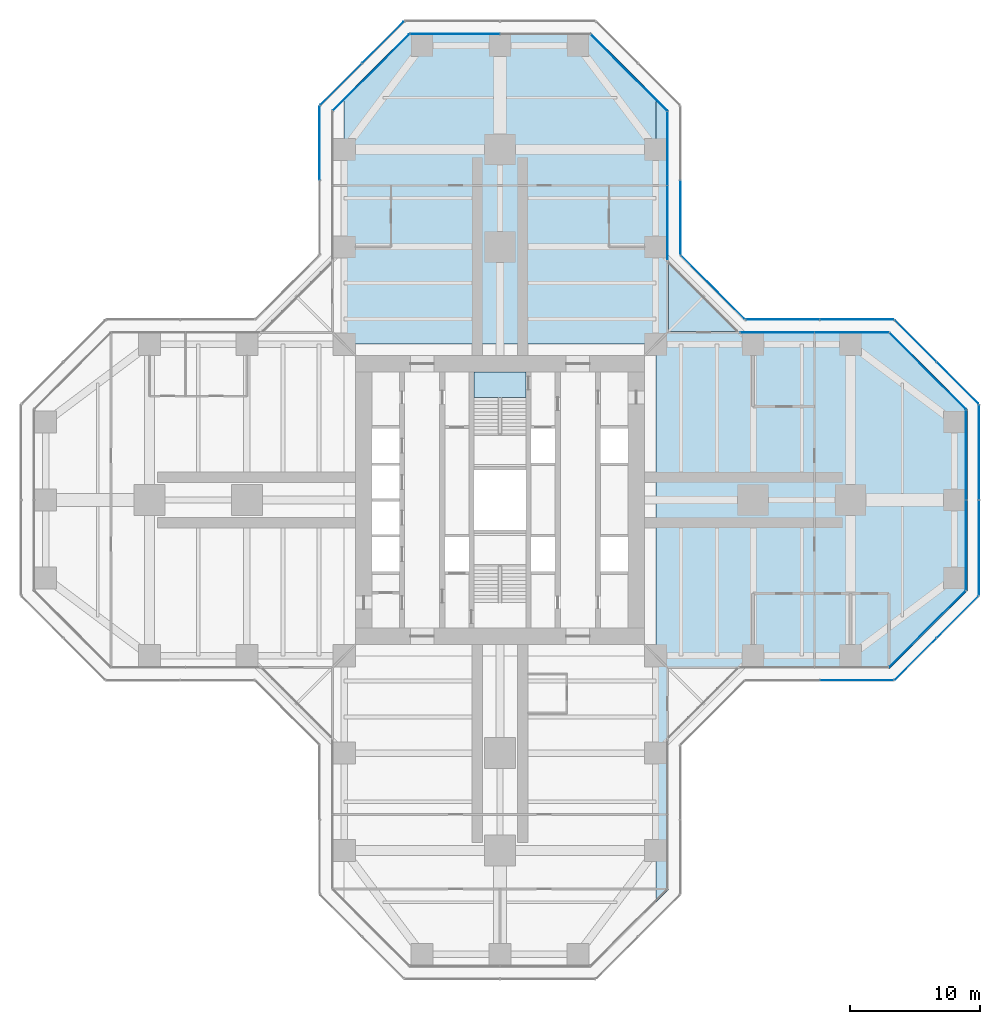
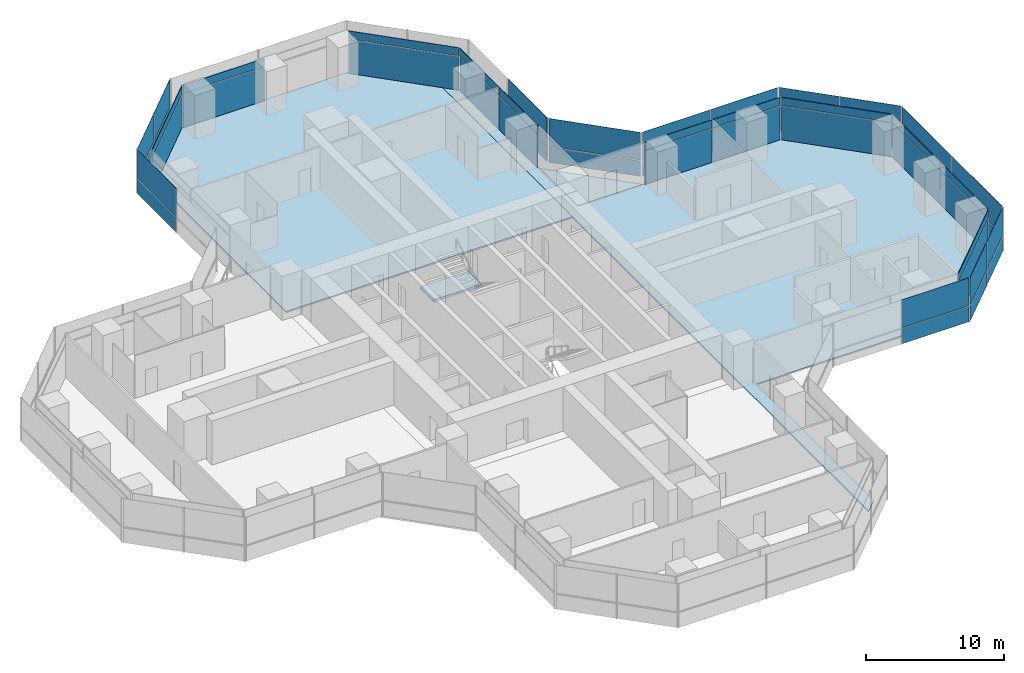
# One storey, part 16 of 22: 50 plates, 4 slabs, 18 elements without a shape of their own.
"""IFC4 building model written with IfcOpenShell, lengths in metres."""

from ifc_helpers import new_model, si_unit, direction, frame, origin, origin_2d, place, context, subcontext, project, spatial, polyline, rectangle, outline, extrude, material, layer, layer_set, type_object, element, aggregate, save


model = new_model("IFC4")

# Units and contexts
model_context = context("Model", 3, precision=1e-05, world=origin(), true_north=direction((0.0, 1.0)))
body_context = subcontext(model_context, "Body", "Model", "MODEL_VIEW")
ifc_project = project(units=[si_unit("LENGTHUNIT", "METRE"), si_unit("AREAUNIT", "SQUARE_METRE"), si_unit("VOLUMEUNIT", "CUBIC_METRE"), si_unit("PLANEANGLEUNIT", "RADIAN"), si_unit("MASSUNIT", "GRAM", prefix="KILO")], contexts=[model_context])

# Site, building, storey
site_placement = place(None, origin())
site = spatial("IfcSite", under=ifc_project, at=site_placement, CompositionType="ELEMENT")
building_placement = place(site_placement, origin())
building = spatial("IfcBuilding", under=site, at=building_placement, Name="Mizan Broadcast Tower", CompositionType="ELEMENT")
storey_placement = place(building_placement, frame((0.0, 0.0, 78.60009765625)))
storey = spatial("IfcBuildingStorey", under=building, at=storey_placement, Name="L16", CompositionType="ELEMENT", Elevation=78.60009765625)

# Slabs
ifc_material_1 = material(Name="Concrete C32/40", Category="concrete")
ifc_layer_1 = layer(ifc_material_1, 0.1298828125)
ifc_layer_set_1 = layer_set([ifc_layer_1], Name="Concrete C32/40")
slab_type_1 = type_object("IfcSlabType", Name="COMPOSITE DECK SLAB 130", PredefinedType="FLOOR", material=ifc_layer_set_1)
slab_1_placement = place(storey_placement, frame((0.0, 0.0, -0.130126953125)))
element("IfcSlab", 1, at=slab_1_placement, inside=storey, type_object=slab_type_1, Name="Floor slab L16 east arm", PredefinedType="FLOOR", context=body_context, shape_type="SweptSolid", body=[
    extrude(outline(polyline([(12.0, -31.0), (13.0, -30.0), (13.0, -13.0), (30.0, -13.0), (36.0, -7.0), (36.0, 7.0), (30.0, 13.0), (13.0, 13.0), (13.0, 30.0), (12.0, 31.0), (12.0, -31.0)])), origin(), (0.0, 0.0, 1.0), 0.130126953125),
])
slab_2_placement = place(storey_placement, frame((0.0, 0.0, -0.130126953125)))
element("IfcSlab", 2, at=slab_2_placement, inside=storey, type_object=slab_type_1, Name="Floor slab L16 north arm", PredefinedType="FLOOR", context=body_context, shape_type="SweptSolid", body=[
    extrude(outline(polyline([(-7.0, 36.0), (-12.0, 31.0), (-12.0, 12.0), (12.0, 12.0), (12.0, 31.0), (7.0, 36.0), (-7.0, 36.0)])), origin(), (0.0, 0.0, 1.0), 0.130126953125),
])

# Curtain wall, plate
ifc_material_2 = material(Name="Aluminium framed glazing", Category="aluminium")
curtain_wall_type_1 = type_object("IfcCurtainWallType", Name="INNER SKIN LOW ZONE", PredefinedType="USERDEFINED", material=ifc_material_2)
curtain_wall_1_placement = place(storey_placement, origin())
curtain_wall_1 = element("IfcCurtainWall", 3, at=curtain_wall_1_placement, inside=storey, type_object=curtain_wall_type_1, Name="Inner skin low zone L16 E chamfer", ObjectType="INNER SKIN LOW ZONE", PredefinedType="USERDEFINED")
ifc_material_3 = material(Name="Double glazing, clear low-e", Category="glass")
ifc_layer_2 = layer(ifc_material_3, 0.028076171875)
ifc_layer_set_2 = layer_set([ifc_layer_2], Name="Double glazing, clear low-e")
plate_type_1 = type_object("IfcPlateType", Name="INNER SKIN GLAZING UNIT", PredefinedType="CURTAIN_PANEL", material=ifc_layer_set_2)
plate_1_placement = place(storey_placement, frame((32.92919921875, -9.92919921875, 0.0), z_axis=(0.0, 0.0, 1.0), x_axis=(0.707106781187, 0.707106781187, 0.0)))
plate_1 = element("IfcPlate", 4, at=plate_1_placement, type_object=plate_type_1, Name="Inner skin low zone L16 E chamfer panel 1.1", PredefinedType="CURTAIN_PANEL", context=body_context, shape_type="SweptSolid", body=[
    extrude(rectangle(XDim=8.282470703125, YDim=0.028076171875, at=origin_2d()), origin(), (0.0, 0.0, 1.0), 3.0),
])

# Curtain wall, plates
curtain_wall_2_placement = place(storey_placement, origin())
curtain_wall_2 = element("IfcCurtainWall", 5, at=curtain_wall_2_placement, inside=storey, type_object=curtain_wall_type_1, Name="Inner skin low zone L16 E end", ObjectType="INNER SKIN LOW ZONE", PredefinedType="USERDEFINED")
plate_2_placement = place(storey_placement, frame((35.89990234375, -3.46435546875, 0.0), z_axis=(0.0, 0.0, 1.0), x_axis=(0.0, 1.0, 0.0)))
plate_2 = element("IfcPlate", 6, at=plate_2_placement, type_object=plate_type_1, Name="Inner skin low zone L16 E end panel 1.1", PredefinedType="CURTAIN_PANEL", context=body_context, shape_type="SweptSolid", body=[
    extrude(rectangle(XDim=6.86865234375, YDim=0.028076171875, at=origin_2d()), origin(), (0.0, 0.0, 1.0), 3.0),
])
plate_3_placement = place(storey_placement, frame((35.89990234375, 3.46435546875, 0.0), z_axis=(0.0, 0.0, 1.0), x_axis=(0.0, 1.0, 0.0)))
plate_3 = element("IfcPlate", 7, at=plate_3_placement, type_object=plate_type_1, Name="Inner skin low zone L16 E end panel 2.1", PredefinedType="CURTAIN_PANEL", context=body_context, shape_type="SweptSolid", body=[
    extrude(rectangle(XDim=6.86865234375, YDim=0.028076171875, at=origin_2d()), origin(), (0.0, 0.0, 1.0), 3.0),
])

# Curtain wall, plate
curtain_wall_3_placement = place(storey_placement, origin())
curtain_wall_3 = element("IfcCurtainWall", 8, at=curtain_wall_3_placement, inside=storey, type_object=curtain_wall_type_1, Name="Inner skin low zone L16 E chamfer", ObjectType="INNER SKIN LOW ZONE", PredefinedType="USERDEFINED")
plate_4_placement = place(storey_placement, frame((32.92919921875, 9.92919921875, 0.0), z_axis=(0.0, 0.0, 1.0), x_axis=(-0.707106781187, 0.707106781187, 0.0)))
plate_4 = element("IfcPlate", 9, at=plate_4_placement, type_object=plate_type_1, Name="Inner skin low zone L16 E chamfer panel 1.1", PredefinedType="CURTAIN_PANEL", context=body_context, shape_type="SweptSolid", body=[
    extrude(rectangle(XDim=8.282470703125, YDim=0.028076171875, at=origin_2d()), origin(), (0.0, 0.0, 1.0), 3.0),
])

# Curtain wall, plates
curtain_wall_4_placement = place(storey_placement, origin())
curtain_wall_4 = element("IfcCurtainWall", 10, at=curtain_wall_4_placement, inside=storey, type_object=curtain_wall_type_1, Name="Inner skin low zone L16 E side", ObjectType="INNER SKIN LOW ZONE", PredefinedType="USERDEFINED")
plate_5_placement = place(storey_placement, frame((27.078857421875, 12.89990234375, 0.0), z_axis=(0.0, 0.0, 1.0), x_axis=(-1.0, 0.0, 0.0)))
plate_5 = element("IfcPlate", 11, at=plate_5_placement, type_object=plate_type_1, Name="Inner skin low zone L16 E side panel 1.1", PredefinedType="CURTAIN_PANEL", context=body_context, shape_type="SweptSolid", body=[
    extrude(rectangle(XDim=5.639404296875, YDim=0.028076171875, at=origin_2d()), origin(), (0.0, 0.0, 1.0), 3.0),
])
plate_6_placement = place(storey_placement, frame((21.379638671875, 12.89990234375, 0.0), z_axis=(0.0, 0.0, 1.0), x_axis=(-1.0, 0.0, 0.0)))
plate_6 = element("IfcPlate", 12, at=plate_6_placement, type_object=plate_type_1, Name="Inner skin low zone L16 E side panel 2.1", PredefinedType="CURTAIN_PANEL", context=body_context, shape_type="SweptSolid", body=[
    extrude(rectangle(XDim=5.639404296875, YDim=0.028076171875, at=origin_2d()), origin(), (0.0, 0.0, 1.0), 3.0),
])

curtain_wall_5_placement = place(storey_placement, origin())
curtain_wall_5 = element("IfcCurtainWall", 13, at=curtain_wall_5_placement, inside=storey, type_object=curtain_wall_type_1, Name="Inner skin low zone L16 N side", ObjectType="INNER SKIN LOW ZONE", PredefinedType="USERDEFINED")
plate_7_placement = place(storey_placement, frame((12.89990234375, 21.379638671875, 0.0), z_axis=(0.0, 0.0, 1.0), x_axis=(0.0, 1.0, 0.0)))
plate_7 = element("IfcPlate", 14, at=plate_7_placement, type_object=plate_type_1, Name="Inner skin low zone L16 N side panel 1.1", PredefinedType="CURTAIN_PANEL", context=body_context, shape_type="SweptSolid", body=[
    extrude(rectangle(XDim=5.639404296875, YDim=0.028076171875, at=origin_2d()), origin(), (0.0, 0.0, 1.0), 3.0),
])
plate_8_placement = place(storey_placement, frame((12.89990234375, 27.078857421875, 0.0), z_axis=(0.0, 0.0, 1.0), x_axis=(0.0, 1.0, 0.0)))
plate_8 = element("IfcPlate", 15, at=plate_8_placement, type_object=plate_type_1, Name="Inner skin low zone L16 N side panel 2.1", PredefinedType="CURTAIN_PANEL", context=body_context, shape_type="SweptSolid", body=[
    extrude(rectangle(XDim=5.639404296875, YDim=0.028076171875, at=origin_2d()), origin(), (0.0, 0.0, 1.0), 3.0),
])

# Curtain wall, plate
curtain_wall_6_placement = place(storey_placement, origin())
curtain_wall_6 = element("IfcCurtainWall", 16, at=curtain_wall_6_placement, inside=storey, type_object=curtain_wall_type_1, Name="Inner skin low zone L16 N chamfer", ObjectType="INNER SKIN LOW ZONE", PredefinedType="USERDEFINED")
plate_9_placement = place(storey_placement, frame((9.92919921875, 32.92919921875, 0.0), z_axis=(0.0, 0.0, 1.0), x_axis=(-0.707106781187, 0.707106781187, 0.0)))
plate_9 = element("IfcPlate", 17, at=plate_9_placement, type_object=plate_type_1, Name="Inner skin low zone L16 N chamfer panel 1.1", PredefinedType="CURTAIN_PANEL", context=body_context, shape_type="SweptSolid", body=[
    extrude(rectangle(XDim=8.282470703125, YDim=0.028076171875, at=origin_2d()), origin(), (0.0, 0.0, 1.0), 3.0),
])

curtain_wall_7_placement = place(storey_placement, origin())
curtain_wall_7 = element("IfcCurtainWall", 18, at=curtain_wall_7_placement, inside=storey, type_object=curtain_wall_type_1, Name="Inner skin low zone L16 N end", ObjectType="INNER SKIN LOW ZONE", PredefinedType="USERDEFINED")
plate_10_placement = place(storey_placement, frame((-3.46435546875, 35.89990234375, 0.0), z_axis=(0.0, 0.0, 1.0), x_axis=(-1.0, 0.0, 0.0)))
plate_10 = element("IfcPlate", 19, at=plate_10_placement, type_object=plate_type_1, Name="Inner skin low zone L16 N end panel 2.1", PredefinedType="CURTAIN_PANEL", context=body_context, shape_type="SweptSolid", body=[
    extrude(rectangle(XDim=6.86865234375, YDim=0.028076171875, at=origin_2d()), origin(), (0.0, 0.0, 1.0), 3.0),
])

curtain_wall_8_placement = place(storey_placement, origin())
curtain_wall_8 = element("IfcCurtainWall", 20, at=curtain_wall_8_placement, inside=storey, type_object=curtain_wall_type_1, Name="Inner skin low zone L16 N chamfer", ObjectType="INNER SKIN LOW ZONE", PredefinedType="USERDEFINED")
plate_11_placement = place(storey_placement, frame((-9.92919921875, 32.92919921875, 0.0), z_axis=(0.0, 0.0, 1.0), x_axis=(-0.707106781187, -0.707106781187, 0.0)))
plate_11 = element("IfcPlate", 21, at=plate_11_placement, type_object=plate_type_1, Name="Inner skin low zone L16 N chamfer panel 1.1", PredefinedType="CURTAIN_PANEL", context=body_context, shape_type="SweptSolid", body=[
    extrude(rectangle(XDim=8.282470703125, YDim=0.028076171875, at=origin_2d()), origin(), (0.0, 0.0, 1.0), 3.0),
])

# Plate
ifc_material_4 = material(Name="Insulated aluminium spandrel panel, pale anodised", Category="aluminium")
ifc_layer_3 = layer(ifc_material_4, 0.050048828125)
ifc_layer_set_3 = layer_set([ifc_layer_3], Name="Insulated aluminium spandrel panel, pale anodised")
plate_type_2 = type_object("IfcPlateType", Name="INNER SKIN SPANDREL PANEL", PredefinedType="CURTAIN_PANEL", material=ifc_layer_set_3)
plate_12_placement = place(storey_placement, frame((32.92919921875, -9.92919921875, 3.059814453125), z_axis=(0.0, 0.0, 1.0), x_axis=(0.707106781187, 0.707106781187, 0.0)))
plate_12 = element("IfcPlate", 22, at=plate_12_placement, type_object=plate_type_2, Name="Inner skin low zone L16 E chamfer panel 1.2", PredefinedType="CURTAIN_PANEL", context=body_context, shape_type="SweptSolid", body=[
    extrude(rectangle(XDim=8.282470703125, YDim=0.050048828125, at=origin_2d()), origin(), (0.0, 0.0, 1.0), 0.7099609375),
])

aggregate(curtain_wall_1, [plate_1, plate_12])

plate_13_placement = place(storey_placement, frame((35.89990234375, -3.46435546875, 3.059814453125), z_axis=(0.0, 0.0, 1.0), x_axis=(0.0, 1.0, 0.0)))
plate_13 = element("IfcPlate", 23, at=plate_13_placement, type_object=plate_type_2, Name="Inner skin low zone L16 E end panel 1.2", PredefinedType="CURTAIN_PANEL", context=body_context, shape_type="SweptSolid", body=[
    extrude(rectangle(XDim=6.86865234375, YDim=0.050048828125, at=origin_2d()), origin(), (0.0, 0.0, 1.0), 0.7099609375),
])

plate_14_placement = place(storey_placement, frame((35.89990234375, 3.46435546875, 3.059814453125), z_axis=(0.0, 0.0, 1.0), x_axis=(0.0, 1.0, 0.0)))
plate_14 = element("IfcPlate", 24, at=plate_14_placement, type_object=plate_type_2, Name="Inner skin low zone L16 E end panel 2.2", PredefinedType="CURTAIN_PANEL", context=body_context, shape_type="SweptSolid", body=[
    extrude(rectangle(XDim=6.86865234375, YDim=0.050048828125, at=origin_2d()), origin(), (0.0, 0.0, 1.0), 0.7099609375),
])

aggregate(curtain_wall_2, [plate_2, plate_13, plate_3, plate_14])

plate_15_placement = place(storey_placement, frame((32.92919921875, 9.92919921875, 3.059814453125), z_axis=(0.0, 0.0, 1.0), x_axis=(-0.707106781187, 0.707106781187, 0.0)))
plate_15 = element("IfcPlate", 25, at=plate_15_placement, type_object=plate_type_2, Name="Inner skin low zone L16 E chamfer panel 1.2", PredefinedType="CURTAIN_PANEL", context=body_context, shape_type="SweptSolid", body=[
    extrude(rectangle(XDim=8.282470703125, YDim=0.050048828125, at=origin_2d()), origin(), (0.0, 0.0, 1.0), 0.7099609375),
])

aggregate(curtain_wall_3, [plate_4, plate_15])

plate_16_placement = place(storey_placement, frame((27.078857421875, 12.89990234375, 3.059814453125), z_axis=(0.0, 0.0, 1.0), x_axis=(-1.0, 0.0, 0.0)))
plate_16 = element("IfcPlate", 26, at=plate_16_placement, type_object=plate_type_2, Name="Inner skin low zone L16 E side panel 1.2", PredefinedType="CURTAIN_PANEL", context=body_context, shape_type="SweptSolid", body=[
    extrude(rectangle(XDim=5.639404296875, YDim=0.050048828125, at=origin_2d()), origin(), (0.0, 0.0, 1.0), 0.7099609375),
])

plate_17_placement = place(storey_placement, frame((21.379638671875, 12.89990234375, 3.059814453125), z_axis=(0.0, 0.0, 1.0), x_axis=(-1.0, 0.0, 0.0)))
plate_17 = element("IfcPlate", 27, at=plate_17_placement, type_object=plate_type_2, Name="Inner skin low zone L16 E side panel 2.2", PredefinedType="CURTAIN_PANEL", context=body_context, shape_type="SweptSolid", body=[
    extrude(rectangle(XDim=5.639404296875, YDim=0.050048828125, at=origin_2d()), origin(), (0.0, 0.0, 1.0), 0.7099609375),
])

aggregate(curtain_wall_4, [plate_5, plate_16, plate_6, plate_17])

plate_18_placement = place(storey_placement, frame((12.89990234375, 21.379638671875, 3.059814453125), z_axis=(0.0, 0.0, 1.0), x_axis=(0.0, 1.0, 0.0)))
plate_18 = element("IfcPlate", 28, at=plate_18_placement, type_object=plate_type_2, Name="Inner skin low zone L16 N side panel 1.2", PredefinedType="CURTAIN_PANEL", context=body_context, shape_type="SweptSolid", body=[
    extrude(rectangle(XDim=5.639404296875, YDim=0.050048828125, at=origin_2d()), origin(), (0.0, 0.0, 1.0), 0.7099609375),
])

plate_19_placement = place(storey_placement, frame((12.89990234375, 27.078857421875, 3.059814453125), z_axis=(0.0, 0.0, 1.0), x_axis=(0.0, 1.0, 0.0)))
plate_19 = element("IfcPlate", 29, at=plate_19_placement, type_object=plate_type_2, Name="Inner skin low zone L16 N side panel 2.2", PredefinedType="CURTAIN_PANEL", context=body_context, shape_type="SweptSolid", body=[
    extrude(rectangle(XDim=5.639404296875, YDim=0.050048828125, at=origin_2d()), origin(), (0.0, 0.0, 1.0), 0.7099609375),
])

aggregate(curtain_wall_5, [plate_7, plate_18, plate_8, plate_19])

plate_20_placement = place(storey_placement, frame((9.92919921875, 32.92919921875, 3.059814453125), z_axis=(0.0, 0.0, 1.0), x_axis=(-0.707106781187, 0.707106781187, 0.0)))
plate_20 = element("IfcPlate", 30, at=plate_20_placement, type_object=plate_type_2, Name="Inner skin low zone L16 N chamfer panel 1.2", PredefinedType="CURTAIN_PANEL", context=body_context, shape_type="SweptSolid", body=[
    extrude(rectangle(XDim=8.282470703125, YDim=0.050048828125, at=origin_2d()), origin(), (0.0, 0.0, 1.0), 0.7099609375),
])

aggregate(curtain_wall_6, [plate_9, plate_20])

plate_21_placement = place(storey_placement, frame((-3.46435546875, 35.89990234375, 3.059814453125), z_axis=(0.0, 0.0, 1.0), x_axis=(-1.0, 0.0, 0.0)))
plate_21 = element("IfcPlate", 31, at=plate_21_placement, type_object=plate_type_2, Name="Inner skin low zone L16 N end panel 2.2", PredefinedType="CURTAIN_PANEL", context=body_context, shape_type="SweptSolid", body=[
    extrude(rectangle(XDim=6.86865234375, YDim=0.050048828125, at=origin_2d()), origin(), (0.0, 0.0, 1.0), 0.7099609375),
])

aggregate(curtain_wall_7, [plate_10, plate_21])

plate_22_placement = place(storey_placement, frame((-9.92919921875, 32.92919921875, 3.059814453125), z_axis=(0.0, 0.0, 1.0), x_axis=(-0.707106781187, -0.707106781187, 0.0)))
plate_22 = element("IfcPlate", 32, at=plate_22_placement, type_object=plate_type_2, Name="Inner skin low zone L16 N chamfer panel 1.2", PredefinedType="CURTAIN_PANEL", context=body_context, shape_type="SweptSolid", body=[
    extrude(rectangle(XDim=8.282470703125, YDim=0.050048828125, at=origin_2d()), origin(), (0.0, 0.0, 1.0), 0.7099609375),
])

aggregate(curtain_wall_8, [plate_11, plate_22])

# Curtain wall, plates
ifc_material_5 = material(Name="Aluminium framed glazing", Category="aluminium")
curtain_wall_type_2 = type_object("IfcCurtainWallType", Name="OUTER SKIN", PredefinedType="USERDEFINED", material=ifc_material_5)
curtain_wall_9_placement = place(storey_placement, origin())
curtain_wall_9 = element("IfcCurtainWall", 33, at=curtain_wall_9_placement, inside=storey, type_object=curtain_wall_type_2, Name="Outer skin L16 E chamfer", ObjectType="OUTER SKIN", PredefinedType="USERDEFINED")
ifc_material_6 = material(Name="Laminated clear glass", Category="glass")
ifc_layer_4 = layer(ifc_material_6, 0.02001953125)
ifc_layer_set_4 = layer_set([ifc_layer_4], Name="Laminated clear glass")
plate_type_3 = type_object("IfcPlateType", Name="OUTER SKIN CLEAR GLASS", PredefinedType="CURTAIN_PANEL", material=ifc_layer_set_4)
plate_23_placement = place(storey_placement, frame((32.018798828125, -12.254150390625, -0.000244140625), z_axis=(0.0, 0.0, 1.0), x_axis=(0.707106781187, 0.707106781187, 0.0)))
plate_23 = element("IfcPlate", 34, at=plate_23_placement, type_object=plate_type_3, Name="Outer skin L16 E chamfer panel 1.1", PredefinedType="CURTAIN_PANEL", context=body_context, shape_type="SweptSolid", body=[
    extrude(rectangle(XDim=4.495361328125, YDim=0.02001953125, at=origin_2d()), origin(), (0.0, 0.0, 1.0), 1.3701171875),
])
plate_24_placement = place(storey_placement, frame((32.018798828125, -12.254150390625, 1.4296875), z_axis=(0.0, 0.0, 1.0), x_axis=(0.707106781187, 0.707106781187, 0.0)))
plate_24 = element("IfcPlate", 35, at=plate_24_placement, type_object=plate_type_3, Name="Outer skin L16 E chamfer panel 1.2", PredefinedType="CURTAIN_PANEL", context=body_context, shape_type="SweptSolid", body=[
    extrude(rectangle(XDim=4.495361328125, YDim=0.02001953125, at=origin_2d()), origin(), (0.0, 0.0, 1.0), 2.469970703125),
])

curtain_wall_10_placement = place(storey_placement, origin())
curtain_wall_10 = element("IfcCurtainWall", 36, at=curtain_wall_10_placement, inside=storey, type_object=curtain_wall_type_2, Name="Outer skin L16 E end", ObjectType="OUTER SKIN", PredefinedType="USERDEFINED")
plate_25_placement = place(storey_placement, frame((36.89990234375, -3.66650390625, -0.000244140625), z_axis=(0.0, 0.0, 1.0), x_axis=(0.0, 1.0, 0.0)))
plate_25 = element("IfcPlate", 37, at=plate_25_placement, type_object=plate_type_3, Name="Outer skin L16 E end panel 1.1", PredefinedType="CURTAIN_PANEL", context=body_context, shape_type="SweptSolid", body=[
    extrude(rectangle(XDim=7.252685546875, YDim=0.02001953125, at=origin_2d()), origin(), (0.0, 0.0, 1.0), 1.3701171875),
])
plate_26_placement = place(storey_placement, frame((36.89990234375, -3.66650390625, 1.4296875), z_axis=(0.0, 0.0, 1.0), x_axis=(0.0, 1.0, 0.0)))
plate_26 = element("IfcPlate", 38, at=plate_26_placement, type_object=plate_type_3, Name="Outer skin L16 E end panel 1.2", PredefinedType="CURTAIN_PANEL", context=body_context, shape_type="SweptSolid", body=[
    extrude(rectangle(XDim=7.252685546875, YDim=0.02001953125, at=origin_2d()), origin(), (0.0, 0.0, 1.0), 2.469970703125),
])

curtain_wall_11_placement = place(storey_placement, origin())
curtain_wall_11 = element("IfcCurtainWall", 39, at=curtain_wall_11_placement, inside=storey, type_object=curtain_wall_type_2, Name="Outer skin L16 E chamfer", ObjectType="OUTER SKIN", PredefinedType="USERDEFINED")
plate_27_placement = place(storey_placement, frame((35.254150390625, 9.018798828125, -0.000244140625), z_axis=(0.0, 0.0, 1.0), x_axis=(-0.707106781187, 0.707106781187, 0.0)))
plate_27 = element("IfcPlate", 40, at=plate_27_placement, type_object=plate_type_3, Name="Outer skin L16 E chamfer panel 1.1", PredefinedType="CURTAIN_PANEL", context=body_context, shape_type="SweptSolid", body=[
    extrude(rectangle(XDim=4.495361328125, YDim=0.02001953125, at=origin_2d()), origin(), (0.0, 0.0, 1.0), 1.3701171875),
])
plate_28_placement = place(storey_placement, frame((35.254150390625, 9.018798828125, 1.4296875), z_axis=(0.0, 0.0, 1.0), x_axis=(-0.707106781187, 0.707106781187, 0.0)))
plate_28 = element("IfcPlate", 41, at=plate_28_placement, type_object=plate_type_3, Name="Outer skin L16 E chamfer panel 1.2", PredefinedType="CURTAIN_PANEL", context=body_context, shape_type="SweptSolid", body=[
    extrude(rectangle(XDim=4.495361328125, YDim=0.02001953125, at=origin_2d()), origin(), (0.0, 0.0, 1.0), 2.469970703125),
])

curtain_wall_12_placement = place(storey_placement, origin())
curtain_wall_12 = element("IfcCurtainWall", 42, at=curtain_wall_12_placement, inside=storey, type_object=curtain_wall_type_2, Name="Outer skin L16 E side", ObjectType="OUTER SKIN", PredefinedType="USERDEFINED")
plate_29_placement = place(storey_placement, frame((27.477783203125, 13.89990234375, -0.000244140625), z_axis=(0.0, 0.0, 1.0), x_axis=(-1.0, 0.0, 0.0)))
plate_29 = element("IfcPlate", 43, at=plate_29_placement, type_object=plate_type_3, Name="Outer skin L16 E side panel 1.1", PredefinedType="CURTAIN_PANEL", context=body_context, shape_type="SweptSolid", body=[
    extrude(rectangle(XDim=5.6298828125, YDim=0.02001953125, at=origin_2d()), origin(), (0.0, 0.0, 1.0), 1.3701171875),
])
plate_30_placement = place(storey_placement, frame((27.477783203125, 13.89990234375, 1.4296875), z_axis=(0.0, 0.0, 1.0), x_axis=(-1.0, 0.0, 0.0)))
plate_30 = element("IfcPlate", 44, at=plate_30_placement, type_object=plate_type_3, Name="Outer skin L16 E side panel 1.2", PredefinedType="CURTAIN_PANEL", context=body_context, shape_type="SweptSolid", body=[
    extrude(rectangle(XDim=5.6298828125, YDim=0.02001953125, at=origin_2d()), origin(), (0.0, 0.0, 1.0), 2.469970703125),
])
plate_31_placement = place(storey_placement, frame((21.767822265625, 13.89990234375, -0.000244140625), z_axis=(0.0, 0.0, 1.0), x_axis=(-1.0, 0.0, 0.0)))
plate_31 = element("IfcPlate", 45, at=plate_31_placement, type_object=plate_type_3, Name="Outer skin L16 E side panel 2.1", PredefinedType="CURTAIN_PANEL", context=body_context, shape_type="SweptSolid", body=[
    extrude(rectangle(XDim=5.6298828125, YDim=0.02001953125, at=origin_2d()), origin(), (0.0, 0.0, 1.0), 1.3701171875),
])
plate_32_placement = place(storey_placement, frame((21.767822265625, 13.89990234375, 1.4296875), z_axis=(0.0, 0.0, 1.0), x_axis=(-1.0, 0.0, 0.0)))
plate_32 = element("IfcPlate", 46, at=plate_32_placement, type_object=plate_type_3, Name="Outer skin L16 E side panel 2.2", PredefinedType="CURTAIN_PANEL", context=body_context, shape_type="SweptSolid", body=[
    extrude(rectangle(XDim=5.6298828125, YDim=0.02001953125, at=origin_2d()), origin(), (0.0, 0.0, 1.0), 2.469970703125),
])
aggregate(curtain_wall_12, [plate_29, plate_30, plate_31, plate_32])

curtain_wall_13_placement = place(storey_placement, origin())
curtain_wall_13 = element("IfcCurtainWall", 47, at=curtain_wall_13_placement, inside=storey, type_object=curtain_wall_type_2, Name="Outer skin L16 E chamfer", ObjectType="OUTER SKIN", PredefinedType="USERDEFINED")
plate_33_placement = place(storey_placement, frame((16.386474609375, 16.386474609375, -0.000244140625), z_axis=(0.0, 0.0, 1.0), x_axis=(-0.707106781187, 0.707106781187, 0.0)))
plate_33 = element("IfcPlate", 48, at=plate_33_placement, type_object=plate_type_3, Name="Outer skin L16 E chamfer panel 1.1", PredefinedType="CURTAIN_PANEL", context=body_context, shape_type="SweptSolid", body=[
    extrude(rectangle(XDim=6.87255859375, YDim=0.02001953125, at=origin_2d()), origin(), (0.0, 0.0, 1.0), 1.3701171875),
])
plate_34_placement = place(storey_placement, frame((16.386474609375, 16.386474609375, 1.4296875), z_axis=(0.0, 0.0, 1.0), x_axis=(-0.707106781187, 0.707106781187, 0.0)))
plate_34 = element("IfcPlate", 49, at=plate_34_placement, type_object=plate_type_3, Name="Outer skin L16 E chamfer panel 1.2", PredefinedType="CURTAIN_PANEL", context=body_context, shape_type="SweptSolid", body=[
    extrude(rectangle(XDim=6.87255859375, YDim=0.02001953125, at=origin_2d()), origin(), (0.0, 0.0, 1.0), 2.469970703125),
])
aggregate(curtain_wall_13, [plate_33, plate_34])

curtain_wall_14_placement = place(storey_placement, origin())
curtain_wall_14 = element("IfcCurtainWall", 50, at=curtain_wall_14_placement, inside=storey, type_object=curtain_wall_type_2, Name="Outer skin L16 N side", ObjectType="OUTER SKIN", PredefinedType="USERDEFINED")
plate_35_placement = place(storey_placement, frame((13.89990234375, 21.767822265625, -0.000244140625), z_axis=(0.0, 0.0, 1.0), x_axis=(0.0, 1.0, 0.0)))
plate_35 = element("IfcPlate", 51, at=plate_35_placement, type_object=plate_type_3, Name="Outer skin L16 N side panel 1.1", PredefinedType="CURTAIN_PANEL", context=body_context, shape_type="SweptSolid", body=[
    extrude(rectangle(XDim=5.6298828125, YDim=0.02001953125, at=origin_2d()), origin(), (0.0, 0.0, 1.0), 1.3701171875),
])
plate_36_placement = place(storey_placement, frame((13.89990234375, 21.767822265625, 1.4296875), z_axis=(0.0, 0.0, 1.0), x_axis=(0.0, 1.0, 0.0)))
plate_36 = element("IfcPlate", 52, at=plate_36_placement, type_object=plate_type_3, Name="Outer skin L16 N side panel 1.2", PredefinedType="CURTAIN_PANEL", context=body_context, shape_type="SweptSolid", body=[
    extrude(rectangle(XDim=5.6298828125, YDim=0.02001953125, at=origin_2d()), origin(), (0.0, 0.0, 1.0), 2.469970703125),
])
aggregate(curtain_wall_14, [plate_35, plate_36])

curtain_wall_15_placement = place(storey_placement, origin())
curtain_wall_15 = element("IfcCurtainWall", 53, at=curtain_wall_15_placement, inside=storey, type_object=curtain_wall_type_2, Name="Outer skin L16 N chamfer", ObjectType="OUTER SKIN", PredefinedType="USERDEFINED")
plate_37_placement = place(storey_placement, frame((-9.018798828125, 35.254150390625, -0.000244140625), z_axis=(0.0, 0.0, 1.0), x_axis=(-0.707106781187, -0.707106781187, 0.0)))
plate_37 = element("IfcPlate", 54, at=plate_37_placement, type_object=plate_type_3, Name="Outer skin L16 N chamfer panel 1.1", PredefinedType="CURTAIN_PANEL", context=body_context, shape_type="SweptSolid", body=[
    extrude(rectangle(XDim=4.495361328125, YDim=0.02001953125, at=origin_2d()), origin(), (0.0, 0.0, 1.0), 1.3701171875),
])
plate_38_placement = place(storey_placement, frame((-9.018798828125, 35.254150390625, 1.4296875), z_axis=(0.0, 0.0, 1.0), x_axis=(-0.707106781187, -0.707106781187, 0.0)))
plate_38 = element("IfcPlate", 55, at=plate_38_placement, type_object=plate_type_3, Name="Outer skin L16 N chamfer panel 1.2", PredefinedType="CURTAIN_PANEL", context=body_context, shape_type="SweptSolid", body=[
    extrude(rectangle(XDim=4.495361328125, YDim=0.02001953125, at=origin_2d()), origin(), (0.0, 0.0, 1.0), 2.469970703125),
])

curtain_wall_16_placement = place(storey_placement, origin())
curtain_wall_16 = element("IfcCurtainWall", 56, at=curtain_wall_16_placement, inside=storey, type_object=curtain_wall_type_2, Name="Outer skin L16 N side", ObjectType="OUTER SKIN", PredefinedType="USERDEFINED")
plate_39_placement = place(storey_placement, frame((-13.89990234375, 27.477783203125, -0.000244140625), z_axis=(0.0, 0.0, 1.0), x_axis=(0.0, -1.0, 0.0)))
plate_39 = element("IfcPlate", 57, at=plate_39_placement, type_object=plate_type_3, Name="Outer skin L16 N side panel 1.1", PredefinedType="CURTAIN_PANEL", context=body_context, shape_type="SweptSolid", body=[
    extrude(rectangle(XDim=5.6298828125, YDim=0.02001953125, at=origin_2d()), origin(), (0.0, 0.0, 1.0), 1.3701171875),
])
plate_40_placement = place(storey_placement, frame((-13.89990234375, 27.477783203125, 1.4296875), z_axis=(0.0, 0.0, 1.0), x_axis=(0.0, -1.0, 0.0)))
plate_40 = element("IfcPlate", 58, at=plate_40_placement, type_object=plate_type_3, Name="Outer skin L16 N side panel 1.2", PredefinedType="CURTAIN_PANEL", context=body_context, shape_type="SweptSolid", body=[
    extrude(rectangle(XDim=5.6298828125, YDim=0.02001953125, at=origin_2d()), origin(), (0.0, 0.0, 1.0), 2.469970703125),
])
aggregate(curtain_wall_16, [plate_39, plate_40])

# Plate
ifc_material_7 = material(Name="Perforated aluminium, pale anodised", Category="aluminium")
ifc_layer_5 = layer(ifc_material_7, 0.011962890625)
ifc_layer_set_5 = layer_set([ifc_layer_5], Name="Perforated aluminium, pale anodised")
plate_type_4 = type_object("IfcPlateType", Name="OUTER SKIN PERFORATED SCREEN", PredefinedType="USERDEFINED", material=ifc_layer_set_5)
plate_41_placement = place(storey_placement, frame((35.254150390625, -9.018798828125, -0.000244140625), z_axis=(0.0, 0.0, 1.0), x_axis=(0.707106781187, 0.707106781187, 0.0)))
plate_41 = element("IfcPlate", 59, at=plate_41_placement, type_object=plate_type_4, Name="Outer skin L16 E chamfer panel 2.1", ObjectType="SCREEN", PredefinedType="USERDEFINED", context=body_context, shape_type="SweptSolid", body=[
    extrude(rectangle(XDim=4.495361328125, YDim=0.011962890625, at=origin_2d()), origin(), (0.0, 0.0, 1.0), 1.3701171875),
])

plate_42_placement = place(storey_placement, frame((35.254150390625, -9.018798828125, 1.4296875), z_axis=(0.0, 0.0, 1.0), x_axis=(0.707106781187, 0.707106781187, 0.0)))
plate_42 = element("IfcPlate", 60, at=plate_42_placement, type_object=plate_type_4, Name="Outer skin L16 E chamfer panel 2.2", ObjectType="SCREEN", PredefinedType="USERDEFINED", context=body_context, shape_type="SweptSolid", body=[
    extrude(rectangle(XDim=4.495361328125, YDim=0.011962890625, at=origin_2d()), origin(), (0.0, 0.0, 1.0), 2.469970703125),
])

aggregate(curtain_wall_9, [plate_23, plate_24, plate_41, plate_42])

plate_43_placement = place(storey_placement, frame((36.89990234375, 3.66650390625, -0.000244140625), z_axis=(0.0, 0.0, 1.0), x_axis=(0.0, 1.0, 0.0)))
plate_43 = element("IfcPlate", 61, at=plate_43_placement, type_object=plate_type_4, Name="Outer skin L16 E end panel 2.1", ObjectType="SCREEN", PredefinedType="USERDEFINED", context=body_context, shape_type="SweptSolid", body=[
    extrude(rectangle(XDim=7.252685546875, YDim=0.011962890625, at=origin_2d()), origin(), (0.0, 0.0, 1.0), 1.3701171875),
])

plate_44_placement = place(storey_placement, frame((36.89990234375, 3.66650390625, 1.4296875), z_axis=(0.0, 0.0, 1.0), x_axis=(0.0, 1.0, 0.0)))
plate_44 = element("IfcPlate", 62, at=plate_44_placement, type_object=plate_type_4, Name="Outer skin L16 E end panel 2.2", ObjectType="SCREEN", PredefinedType="USERDEFINED", context=body_context, shape_type="SweptSolid", body=[
    extrude(rectangle(XDim=7.252685546875, YDim=0.011962890625, at=origin_2d()), origin(), (0.0, 0.0, 1.0), 2.469970703125),
])

aggregate(curtain_wall_10, [plate_25, plate_26, plate_43, plate_44])

plate_45_placement = place(storey_placement, frame((32.018798828125, 12.254150390625, -0.000244140625), z_axis=(0.0, 0.0, 1.0), x_axis=(-0.707106781187, 0.707106781187, 0.0)))
plate_45 = element("IfcPlate", 63, at=plate_45_placement, type_object=plate_type_4, Name="Outer skin L16 E chamfer panel 2.1", ObjectType="SCREEN", PredefinedType="USERDEFINED", context=body_context, shape_type="SweptSolid", body=[
    extrude(rectangle(XDim=4.495361328125, YDim=0.011962890625, at=origin_2d()), origin(), (0.0, 0.0, 1.0), 1.3701171875),
])

plate_46_placement = place(storey_placement, frame((32.018798828125, 12.254150390625, 1.4296875), z_axis=(0.0, 0.0, 1.0), x_axis=(-0.707106781187, 0.707106781187, 0.0)))
plate_46 = element("IfcPlate", 64, at=plate_46_placement, type_object=plate_type_4, Name="Outer skin L16 E chamfer panel 2.2", ObjectType="SCREEN", PredefinedType="USERDEFINED", context=body_context, shape_type="SweptSolid", body=[
    extrude(rectangle(XDim=4.495361328125, YDim=0.011962890625, at=origin_2d()), origin(), (0.0, 0.0, 1.0), 2.469970703125),
])

aggregate(curtain_wall_11, [plate_27, plate_28, plate_45, plate_46])

plate_47_placement = place(storey_placement, frame((-12.254150390625, 32.018798828125, -0.000244140625), z_axis=(0.0, 0.0, 1.0), x_axis=(-0.707106781187, -0.707106781187, 0.0)))
plate_47 = element("IfcPlate", 65, at=plate_47_placement, type_object=plate_type_4, Name="Outer skin L16 N chamfer panel 2.1", ObjectType="SCREEN", PredefinedType="USERDEFINED", context=body_context, shape_type="SweptSolid", body=[
    extrude(rectangle(XDim=4.495361328125, YDim=0.011962890625, at=origin_2d()), origin(), (0.0, 0.0, 1.0), 1.3701171875),
])

plate_48_placement = place(storey_placement, frame((-12.254150390625, 32.018798828125, 1.4296875), z_axis=(0.0, 0.0, 1.0), x_axis=(-0.707106781187, -0.707106781187, 0.0)))
plate_48 = element("IfcPlate", 66, at=plate_48_placement, type_object=plate_type_4, Name="Outer skin L16 N chamfer panel 2.2", ObjectType="SCREEN", PredefinedType="USERDEFINED", context=body_context, shape_type="SweptSolid", body=[
    extrude(rectangle(XDim=4.495361328125, YDim=0.011962890625, at=origin_2d()), origin(), (0.0, 0.0, 1.0), 2.469970703125),
])

aggregate(curtain_wall_15, [plate_37, plate_38, plate_47, plate_48])

# Curtain wall, plates
curtain_wall_17_placement = place(storey_placement, origin())
curtain_wall_17 = element("IfcCurtainWall", 67, at=curtain_wall_17_placement, inside=storey, type_object=curtain_wall_type_2, Name="Outer skin L16 E side", ObjectType="OUTER SKIN", PredefinedType="USERDEFINED")
plate_49_placement = place(storey_placement, frame((27.477783203125, -13.89990234375, -0.000244140625), z_axis=(0.0, 0.0, 1.0), x_axis=(1.0, 0.0, 0.0)))
plate_49 = element("IfcPlate", 68, at=plate_49_placement, type_object=plate_type_4, Name="Outer skin L16 E side panel 2.1", ObjectType="SCREEN", PredefinedType="USERDEFINED", context=body_context, shape_type="SweptSolid", body=[
    extrude(rectangle(XDim=5.6298828125, YDim=0.011962890625, at=origin_2d()), origin(), (0.0, 0.0, 1.0), 1.3701171875),
])
plate_50_placement = place(storey_placement, frame((27.477783203125, -13.89990234375, 1.4296875), z_axis=(0.0, 0.0, 1.0), x_axis=(1.0, 0.0, 0.0)))
plate_50 = element("IfcPlate", 69, at=plate_50_placement, type_object=plate_type_4, Name="Outer skin L16 E side panel 2.2", ObjectType="SCREEN", PredefinedType="USERDEFINED", context=body_context, shape_type="SweptSolid", body=[
    extrude(rectangle(XDim=5.6298828125, YDim=0.011962890625, at=origin_2d()), origin(), (0.0, 0.0, 1.0), 2.469970703125),
])
aggregate(curtain_wall_17, [plate_49, plate_50])

# Stair, slab
ifc_material_8 = material(Name="Concrete C40/50", Category="concrete")
stair_type = type_object("IfcStairType", Name="EXIT STAIR", PredefinedType="HALF_TURN_STAIR", material=ifc_material_8)
stair_placement = place(storey_placement, origin())
stair = element("IfcStair", 70, at=stair_placement, inside=storey, type_object=stair_type, Name="Stair B L16", PredefinedType="HALF_TURN_STAIR")
ifc_material_9 = material(Name="Concrete C40/50", Category="concrete")
ifc_layer_6 = layer(ifc_material_9, 0.199951171875)
ifc_layer_set_6 = layer_set([ifc_layer_6], Name="Concrete C40/50")
slab_type_2 = type_object("IfcSlabType", Name="STAIR LANDING 200", PredefinedType="LANDING", material=ifc_layer_set_6)
slab_3_placement = place(storey_placement, frame((0.0, 0.0, -0.2001953125)))
slab_3 = element("IfcSlab", 71, at=slab_3_placement, type_object=slab_type_2, Name="B landing 1", PredefinedType="LANDING", context=body_context, shape_type="SweptSolid", body=[
    extrude(outline(polyline([(2.0, 9.85009765625), (2.0, 7.89990234375), (-2.0, 7.89990234375), (-2.0, 9.85009765625), (2.0, 9.85009765625)])), origin(), (0.0, 0.0, 1.0), 0.2001953125),
])
aggregate(stair, [slab_3])

# Slab
ifc_material_10 = material(Name="Concrete C32/40", Category="concrete")
ifc_layer_7 = layer(ifc_material_10, 0.1298828125)
ifc_layer_set_7 = layer_set([ifc_layer_7], Name="Concrete C32/40")
slab_type_3 = type_object("IfcSlabType", Name="WINTER GARDEN SLAB 130", PredefinedType="FLOOR", material=ifc_layer_set_7)
slab_4_placement = place(storey_placement, frame((0.0, 0.0, -0.130126953125)))
element("IfcSlab", 72, at=slab_4_placement, inside=storey, type_object=slab_type_3, Name="Winter garden slab L16 E", PredefinedType="FLOOR", context=body_context, shape_type="SweptSolid", body=[
    extrude(outline(polyline([(13.0, 13.0), (18.5, 13.0), (13.0, 18.5), (13.0, 13.0)])), origin(), (0.0, 0.0, 1.0), 0.130126953125),
])

save(model, "model.ifc")
